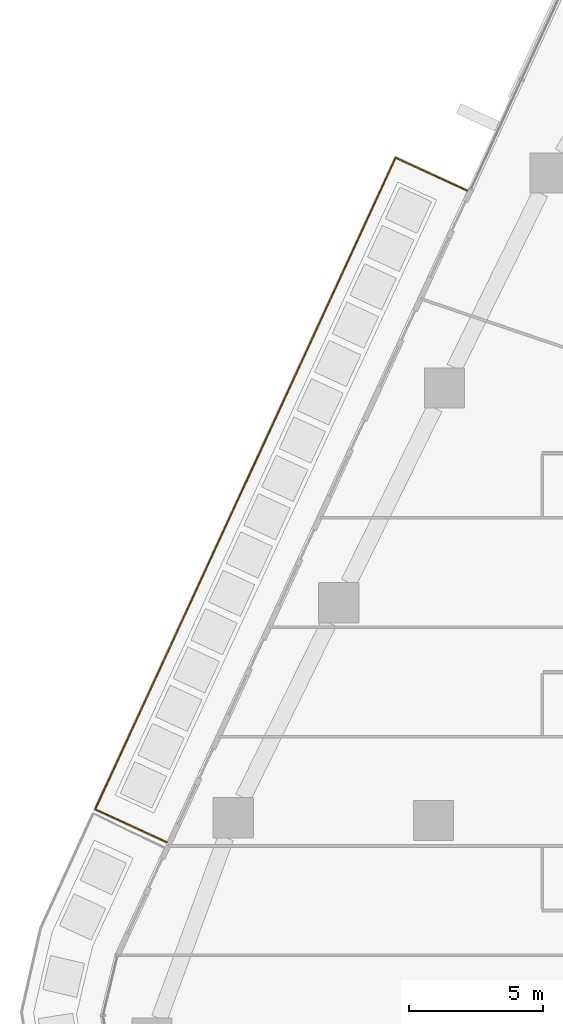
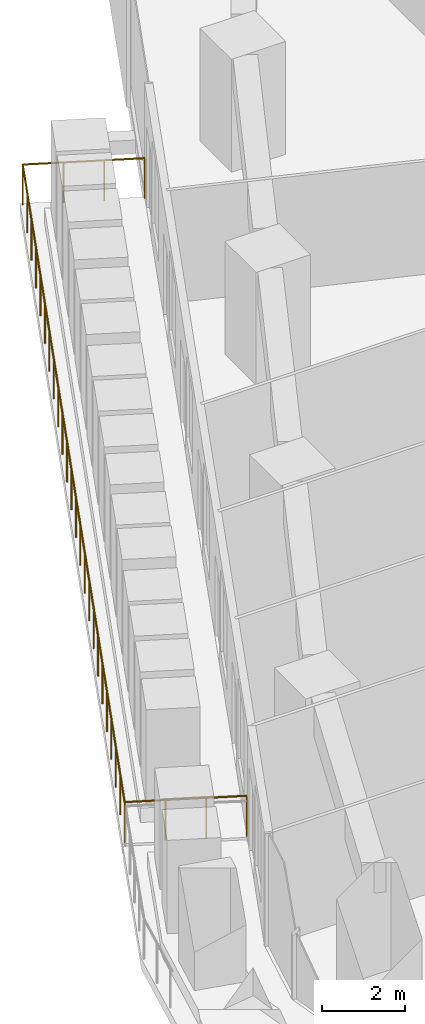
# One storey, part 25 of 27: 1 railing.
"""IFC4 building model written with IfcOpenShell, lengths in metres."""

from ifc_helpers import new_model, si_unit, direction, frame, origin, origin_2d, place, context, subcontext, project, spatial, circle, extrude, material, type_object, element, save


model = new_model("IFC4")

# Units and contexts
model_context = context("Model", 3, precision=1e-05, world=origin(), true_north=direction((0.0, 1.0)))
body_context = subcontext(model_context, "Body", "Model", "MODEL_VIEW")
ifc_project = project(units=[si_unit("LENGTHUNIT", "METRE"), si_unit("AREAUNIT", "SQUARE_METRE"), si_unit("VOLUMEUNIT", "CUBIC_METRE"), si_unit("PLANEANGLEUNIT", "RADIAN"), si_unit("MASSUNIT", "GRAM", prefix="KILO")], contexts=[model_context])

# Site, building, storey
site_placement = place(None, origin())
site = spatial("IfcSite", under=ifc_project, at=site_placement, CompositionType="ELEMENT")
building_placement = place(site_placement, origin())
building = spatial("IfcBuilding", under=site, at=building_placement, Name="Dongbaek Canopy Tower", CompositionType="ELEMENT")
storey_placement = place(building_placement, frame((0.0, 0.0, 55.10009765625)))
storey = spatial("IfcBuildingStorey", under=building, at=storey_placement, Name="L09", CompositionType="ELEMENT", Elevation=55.10009765625)

# Railing
ifc_material = material(Name="Stainless steel", Category="steel")
railing_type = type_object("IfcRailingType", Name="Balcony balustrade 1200", PredefinedType="BALUSTRADE", material=ifc_material)
railing_placement = place(storey_placement, frame((-25.738037109375, 23.466064453125, 0.0)))
element("IfcRailing", 1, at=railing_placement, inside=storey, type_object=railing_type, Name="Balcony guard L09 3", PredefinedType="BALUSTRADE", context=body_context, shape_type="SweptSolid", body=[
    extrude(circle(Radius=0.02392578125, at=origin_2d()), frame((0.0, 0.0, 1.17578125), z_axis=(-0.90805172008, 0.418858059084, 0.0), x_axis=(-0.418858059084, -0.90805172008, 0.0)), (0.0, 0.0, 1.0), 2.93994140625),
    extrude(circle(Radius=0.02392578125, at=origin_2d()), frame((-2.669677734375, 1.2314453125, 1.17578125), z_axis=(-0.418811507548, -0.908073191513, 0.0), x_axis=(0.908073191513, -0.418811507548, 0.0)), (0.0, 0.0, 1.0), 26.7392578125),
    extrude(circle(Radius=0.02392578125, at=origin_2d()), frame((-13.868408203125, -23.0498046875, 1.17578125), z_axis=(0.90805172008, -0.418858059084, 0.0), x_axis=(0.418858059084, 0.90805172008, 0.0)), (0.0, 0.0, 1.0), 2.93994140625),
    extrude(circle(Radius=0.02099609375, at=origin_2d()), origin(), (0.0, 0.0, 1.0), 1.15185546875),
    extrude(circle(Radius=0.02099609375, at=origin_2d()), frame((-0.889892578125, 0.410400390625, 0.0)), (0.0, 0.0, 1.0), 1.15185546875),
    extrude(circle(Radius=0.02099609375, at=origin_2d()), frame((-1.77978515625, 0.821044921875, 0.0)), (0.0, 0.0, 1.0), 1.15185546875),
    extrude(circle(Radius=0.02099609375, at=origin_2d()), frame((-2.669677734375, 1.2314453125, 0.0)), (0.0, 0.0, 1.0), 1.15185546875),
    extrude(circle(Radius=0.02099609375, at=origin_2d()), frame((-3.156494140625, 0.17578125, 0.0)), (0.0, 0.0, 1.0), 1.15185546875),
    extrude(circle(Radius=0.02099609375, at=origin_2d()), frame((-3.6435546875, -0.8798828125, 0.0)), (0.0, 0.0, 1.0), 1.15185546875),
    extrude(circle(Radius=0.02099609375, at=origin_2d()), frame((-4.13037109375, -1.935791015625, 0.0)), (0.0, 0.0, 1.0), 1.15185546875),
    extrude(circle(Radius=0.02099609375, at=origin_2d()), frame((-4.6171875, -2.991455078125, 0.0)), (0.0, 0.0, 1.0), 1.15185546875),
    extrude(circle(Radius=0.02099609375, at=origin_2d()), frame((-5.104248046875, -4.047119140625, 0.0)), (0.0, 0.0, 1.0), 1.15185546875),
    extrude(circle(Radius=0.02099609375, at=origin_2d()), frame((-5.591064453125, -5.102783203125, 0.0)), (0.0, 0.0, 1.0), 1.15185546875),
    extrude(circle(Radius=0.02099609375, at=origin_2d()), frame((-6.077880859375, -6.158447265625, 0.0)), (0.0, 0.0, 1.0), 1.15185546875),
    extrude(circle(Radius=0.02099609375, at=origin_2d()), frame((-6.56494140625, -7.214111328125, 0.0)), (0.0, 0.0, 1.0), 1.15185546875),
    extrude(circle(Radius=0.02099609375, at=origin_2d()), frame((-7.0517578125, -8.27001953125, 0.0)), (0.0, 0.0, 1.0), 1.15185546875),
    extrude(circle(Radius=0.02099609375, at=origin_2d()), frame((-7.53857421875, -9.32568359375, 0.0)), (0.0, 0.0, 1.0), 1.15185546875),
    extrude(circle(Radius=0.02099609375, at=origin_2d()), frame((-8.025634765625, -10.38134765625, 0.0)), (0.0, 0.0, 1.0), 1.15185546875),
    extrude(circle(Radius=0.02099609375, at=origin_2d()), frame((-8.512451171875, -11.43701171875, 0.0)), (0.0, 0.0, 1.0), 1.15185546875),
    extrude(circle(Radius=0.02099609375, at=origin_2d()), frame((-8.99951171875, -12.49267578125, 0.0)), (0.0, 0.0, 1.0), 1.15185546875),
    extrude(circle(Radius=0.02099609375, at=origin_2d()), frame((-9.486328125, -13.54833984375, 0.0)), (0.0, 0.0, 1.0), 1.15185546875),
    extrude(circle(Radius=0.02099609375, at=origin_2d()), frame((-9.97314453125, -14.604248046875, 0.0)), (0.0, 0.0, 1.0), 1.15185546875),
    extrude(circle(Radius=0.02099609375, at=origin_2d()), frame((-10.460205078125, -15.659912109375, 0.0)), (0.0, 0.0, 1.0), 1.15185546875),
    extrude(circle(Radius=0.02099609375, at=origin_2d()), frame((-10.947021484375, -16.715576171875, 0.0)), (0.0, 0.0, 1.0), 1.15185546875),
    extrude(circle(Radius=0.02099609375, at=origin_2d()), frame((-11.433837890625, -17.771240234375, 0.0)), (0.0, 0.0, 1.0), 1.15185546875),
    extrude(circle(Radius=0.02099609375, at=origin_2d()), frame((-11.9208984375, -18.826904296875, 0.0)), (0.0, 0.0, 1.0), 1.15185546875),
    extrude(circle(Radius=0.02099609375, at=origin_2d()), frame((-12.40771484375, -19.882568359375, 0.0)), (0.0, 0.0, 1.0), 1.15185546875),
    extrude(circle(Radius=0.02099609375, at=origin_2d()), frame((-12.89453125, -20.9384765625, 0.0)), (0.0, 0.0, 1.0), 1.15185546875),
    extrude(circle(Radius=0.02099609375, at=origin_2d()), frame((-13.381591796875, -21.994140625, 0.0)), (0.0, 0.0, 1.0), 1.15185546875),
    extrude(circle(Radius=0.02099609375, at=origin_2d()), frame((-13.868408203125, -23.0498046875, 0.0)), (0.0, 0.0, 1.0), 1.15185546875),
    extrude(circle(Radius=0.02099609375, at=origin_2d()), frame((-12.978515625, -23.460205078125, 0.0)), (0.0, 0.0, 1.0), 1.15185546875),
    extrude(circle(Radius=0.02099609375, at=origin_2d()), frame((-12.088623046875, -23.870849609375, 0.0)), (0.0, 0.0, 1.0), 1.15185546875),
    extrude(circle(Radius=0.02099609375, at=origin_2d()), frame((-11.19873046875, -24.28125, 0.0)), (0.0, 0.0, 1.0), 1.15185546875),
])

save(model, "model.ifc")
